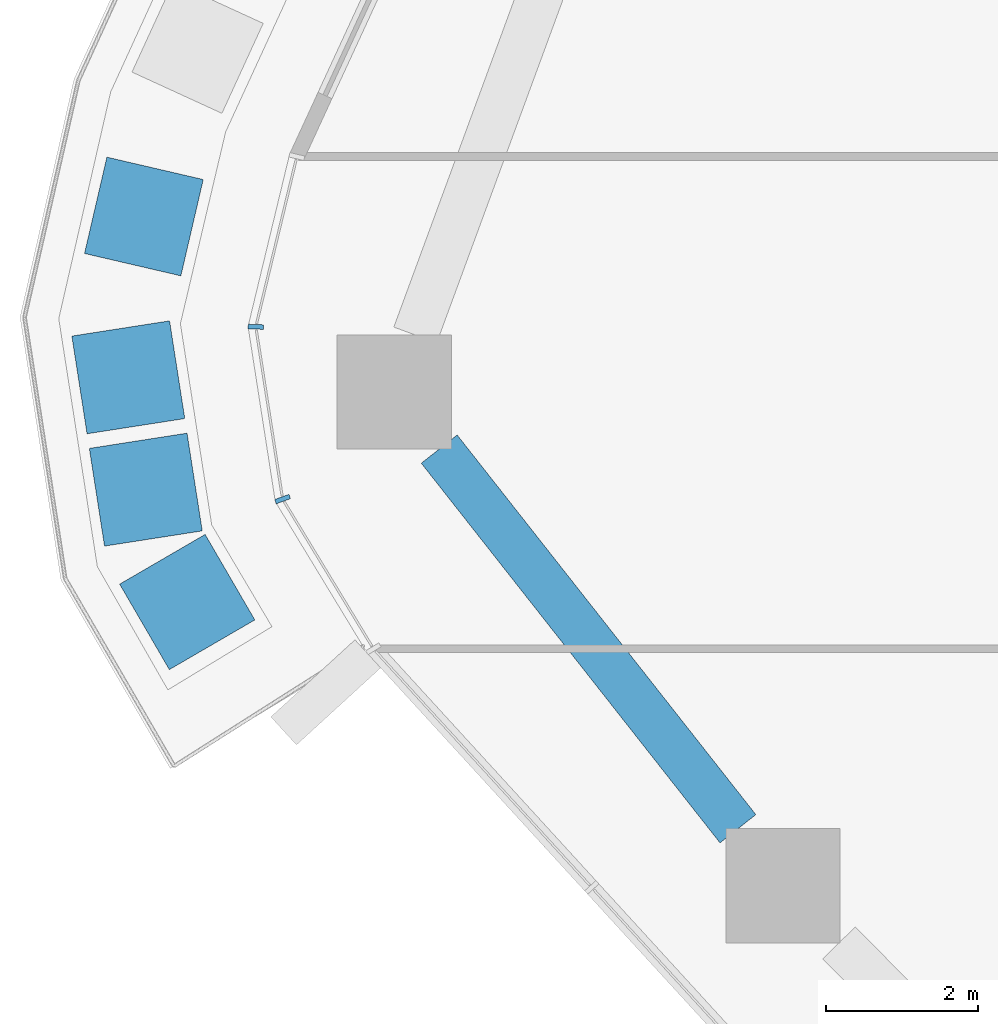
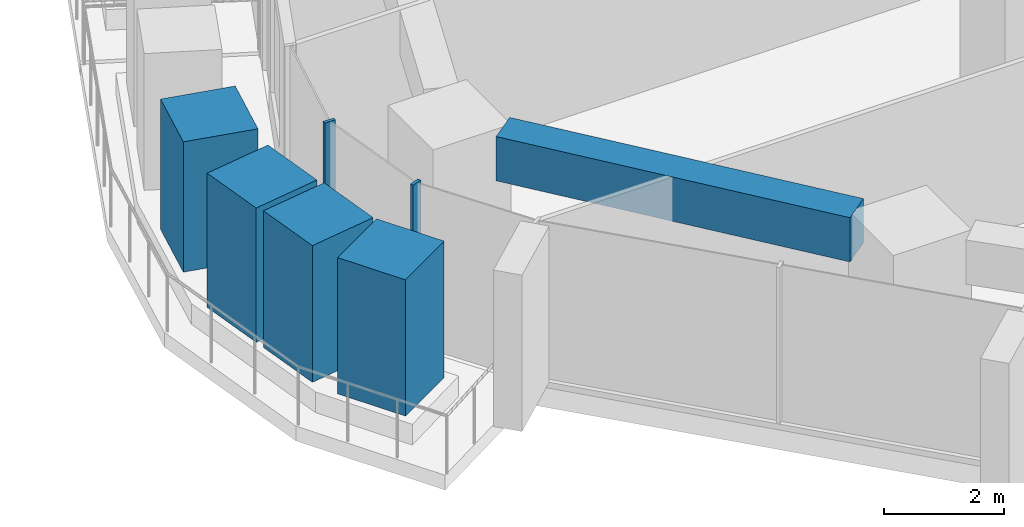
# One storey, part 4 of 27: 6 members, 1 beam, 1 element without a shape of its own.
"""IFC4 building model written with IfcOpenShell, lengths in metres."""

from ifc_helpers import new_model, si_unit, direction, frame, origin, origin_2d, place, context, subcontext, project, spatial, rectangle, extrude, material, layer, layer_set, material_profile, profile_set, type_object, element, aggregate, save


model = new_model("IFC4")

# Units and contexts
model_context = context("Model", 3, precision=1e-05, world=origin(), true_north=direction((0.0, 1.0)))
body_context = subcontext(model_context, "Body", "Model", "MODEL_VIEW")
ifc_project = project(units=[si_unit("LENGTHUNIT", "METRE"), si_unit("AREAUNIT", "SQUARE_METRE"), si_unit("VOLUMEUNIT", "CUBIC_METRE"), si_unit("PLANEANGLEUNIT", "RADIAN"), si_unit("MASSUNIT", "GRAM", prefix="KILO")], contexts=[model_context])

# Site, building, storey
site_placement = place(None, origin())
site = spatial("IfcSite", under=ifc_project, at=site_placement, CompositionType="ELEMENT")
building_placement = place(site_placement, origin())
building = spatial("IfcBuilding", under=site, at=building_placement, Name="Dongbaek Canopy Tower", CompositionType="ELEMENT")
storey_placement = place(building_placement, frame((0.0, 0.0, 62.5)))
storey = spatial("IfcBuildingStorey", under=building, at=storey_placement, Name="L11", CompositionType="ELEMENT", Elevation=62.5)

# Curtain wall, members
ifc_material_1 = material(Name="Aluminium 6063-T6 pale anodised", Category="aluminium")
ifc_layer = layer(ifc_material_1, 0.199951171875)
ifc_layer_set = layer_set([ifc_layer], Name="CW-1 unitised tower curtain wall")
curtain_wall_type = type_object("IfcCurtainWallType", Name="CW-1 unitised tower curtain wall", PredefinedType="NOTDEFINED", material=ifc_layer_set)
curtain_wall_placement = place(storey_placement, origin())
curtain_wall = element("IfcCurtainWall", 1, at=curtain_wall_placement, inside=storey, type_object=curtain_wall_type, Name="CW-1 curtain wall K3.1", PredefinedType="NOTDEFINED")
ifc_material_2 = material(Name="Aluminium 6063-T6 pale anodised", Category="aluminium")
ifc_material_profile_1 = material_profile(ifc_material_2, rectangle(XDim=0.199951171875, YDim=0.06005859375, at=origin_2d()), Name="CW-1 mullion 60 x 200")
ifc_profile_set_1 = profile_set([ifc_material_profile_1], Name="Aluminium 6063-T6 pale anodised")
member_type_1 = type_object("IfcMemberType", Name="CW-1 mullion 60 x 200", PredefinedType="MULLION", material=ifc_profile_set_1)
member_1_placement = place(storey_placement, frame((-39.30908203125, -7.265625, 0.0), z_axis=(0.0, 0.0, 1.0), x_axis=(-0.99915466542, 0.041109057021, 0.0)))
member_1 = element("IfcMember", 2, at=member_1_placement, type_object=member_type_1, Name="CW-1 mullion K3.1.2", PredefinedType="MULLION", context=body_context, shape_type="SweptSolid", body=[
    extrude(rectangle(XDim=0.199951171875, YDim=0.06005859375, at=origin_2d()), origin(), (0.0, 0.0, 1.0), 3.300048828125),
])
member_2_placement = place(storey_placement, frame((-38.956787109375, -9.530029296875, 0.0), z_axis=(0.0, 0.0, 1.0), x_axis=(-0.93940887261, -0.342798731126, 0.0)))
member_2 = element("IfcMember", 3, at=member_2_placement, type_object=member_type_1, Name="CW-1 mullion K3.1.3", PredefinedType="MULLION", context=body_context, shape_type="SweptSolid", body=[
    extrude(rectangle(XDim=0.199951171875, YDim=0.06005859375, at=origin_2d()), origin(), (0.0, 0.0, 1.0), 3.300048828125),
])
aggregate(curtain_wall, [member_1, member_2])

# Beam
ifc_material_3 = material(Name="Concrete C80", Category="concrete")
ifc_material_profile_2 = material_profile(ifc_material_3, rectangle(XDim=0.60009765625, YDim=0.89990234375, at=origin_2d()), Name="RC EDGE BEAM 600x900 C80")
ifc_profile_set_2 = profile_set([ifc_material_profile_2], Name="Concrete C80")
beam_type = type_object("IfcBeamType", Name="RC EDGE BEAM 600x900 C80", PredefinedType="BEAM", material=ifc_profile_set_2)
beam_placement = place(storey_placement, frame((-32.97216796875, -13.863037109375, 2.85009765625), z_axis=(-0.618386857787, 0.785873841094, 0.0), x_axis=(-0.785873841094, -0.618386857787, 0.0)))
element("IfcBeam", 4, at=beam_placement, inside=storey, type_object=beam_type, Name="EDGEBEAM:L11:07", PredefinedType="BEAM", context=body_context, shape_type="SweptSolid", body=[
    extrude(rectangle(XDim=0.60009765625, YDim=0.89990234375, at=origin_2d()), origin(), (0.0, 0.0, 1.0), 6.349609375),
])

# Members
ifc_material_4 = material(Name="Concrete C40/50 planter mass with planting", Category="concrete")
ifc_material_profile_3 = material_profile(ifc_material_4, rectangle(XDim=1.300048828125, YDim=1.300048828125, at=origin_2d()), Name="Terrace PLANTER shrub mass 1300 x 1300")
ifc_profile_set_3 = profile_set([ifc_material_profile_3], Name="Concrete C40/50 planter mass with planting")
member_type_2 = type_object("IfcMemberType", Name="Terrace PLANTER shrub mass 1300 x 1300", PredefinedType="USERDEFINED", material=ifc_profile_set_3)
member_3_placement = place(storey_placement, frame((-40.7802734375, -5.816162109375, 0.419921875), z_axis=(0.0, 0.0, 1.0), x_axis=(-0.974100975447, 0.226113444169, 0.0)))
element("IfcMember", 5, at=member_3_placement, inside=storey, type_object=member_type_2, Name="Planter shrubs L11 7.3", ObjectType="PLANTER", PredefinedType="USERDEFINED", context=body_context, shape_type="SweptSolid", body=[
    extrude(rectangle(XDim=1.300048828125, YDim=1.300048828125, at=origin_2d()), origin(), (0.0, 0.0, 1.0), 2.650146484375),
])
member_4_placement = place(storey_placement, frame((-40.98486328125, -7.929931640625, 0.419921875), z_axis=(0.0, 0.0, 1.0), x_axis=(-0.988105988848, -0.153774363281, 0.0)))
element("IfcMember", 6, at=member_4_placement, inside=storey, type_object=member_type_2, Name="Planter shrubs L11 7.4", ObjectType="PLANTER", PredefinedType="USERDEFINED", context=body_context, shape_type="SweptSolid", body=[
    extrude(rectangle(XDim=1.300048828125, YDim=1.300048828125, at=origin_2d()), origin(), (0.0, 0.0, 1.0), 2.72998046875),
])
member_5_placement = place(storey_placement, frame((-40.755126953125, -9.40625, 0.419921875), z_axis=(0.0, 0.0, 1.0), x_axis=(-0.988105988848, -0.153774363281, 0.0)))
element("IfcMember", 7, at=member_5_placement, inside=storey, type_object=member_type_2, Name="Planter shrubs L11 7.5", ObjectType="PLANTER", PredefinedType="USERDEFINED", context=body_context, shape_type="SweptSolid", body=[
    extrude(rectangle(XDim=1.300048828125, YDim=1.300048828125, at=origin_2d()), origin(), (0.0, 0.0, 1.0), 2.780029296875),
])
member_6_placement = place(storey_placement, frame((-40.21044921875, -10.88330078125, 0.419921875), z_axis=(0.0, 0.0, 1.0), x_axis=(-0.864535653323, -0.502571491565, 0.0)))
element("IfcMember", 8, at=member_6_placement, inside=storey, type_object=member_type_2, Name="Planter shrubs L11 7.6", ObjectType="PLANTER", PredefinedType="USERDEFINED", context=body_context, shape_type="SweptSolid", body=[
    extrude(rectangle(XDim=1.300048828125, YDim=1.300048828125, at=origin_2d()), origin(), (0.0, 0.0, 1.0), 2.77001953125),
])

save(model, "model.ifc")
